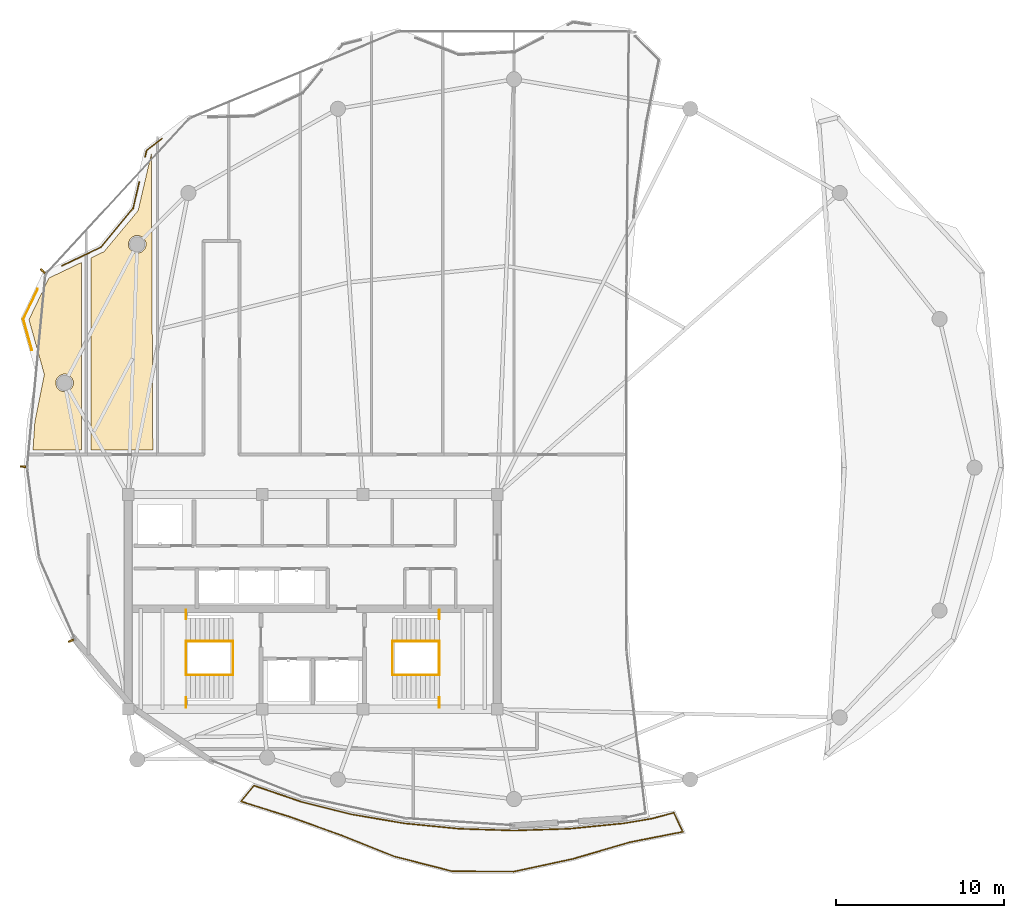
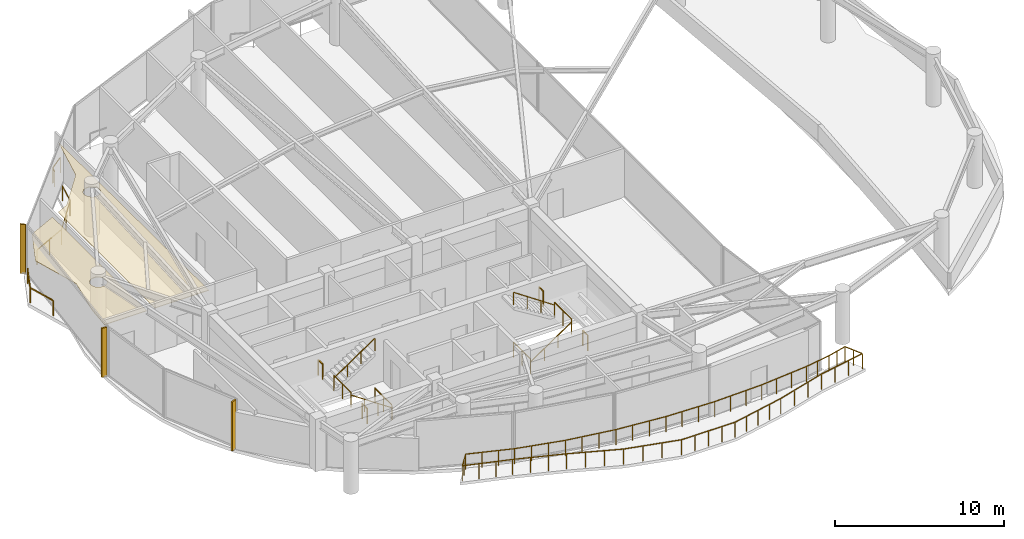
# One storey, part 21 of 22: 16 railings, 3 shading devices, 2 coverings.
"""IFC4 building model written with IfcOpenShell, lengths in metres."""

from ifc_helpers import new_model, si_unit, direction, frame, origin, origin_2d, place, context, subcontext, project, spatial, polyline, rectangle, outline, extrude, material, layer, layer_set, type_object, element, save


model = new_model("IFC4")

# Units and contexts
model_context = context("Model", 3, precision=1e-05, world=origin(), true_north=direction((0.0, 1.0)))
body_context = subcontext(model_context, "Body", "Model", "MODEL_VIEW")
ifc_project = project(units=[si_unit("LENGTHUNIT", "METRE"), si_unit("AREAUNIT", "SQUARE_METRE"), si_unit("VOLUMEUNIT", "CUBIC_METRE"), si_unit("PLANEANGLEUNIT", "RADIAN"), si_unit("MASSUNIT", "GRAM", prefix="KILO")], contexts=[model_context])

# Site, building, storey
site_placement = place(None, origin())
site = spatial("IfcSite", under=ifc_project, at=site_placement, CompositionType="ELEMENT")
building_placement = place(site_placement, origin())
building = spatial("IfcBuilding", under=site, at=building_placement, Name="Kazevale Care Tower and Concert Hall", CompositionType="ELEMENT")
storey_placement = place(building_placement, frame((0.0, 0.0, 273.800048828125)))
storey = spatial("IfcBuildingStorey", under=building, at=storey_placement, Name="L72", CompositionType="ELEMENT", Elevation=273.800048828125)

# Coverings
ifc_material_1 = material(Name="Acoustic Plaster and Hinoki Wood", Category="wood")
ifc_layer = layer(ifc_material_1, 0.0400390625)
ifc_layer_set = layer_set([ifc_layer], Name="Acoustic Plaster and Hinoki Wood")
covering_type = type_object("IfcCoveringType", Name="Acoustic Perforated Wood-Gypsum Ceiling", PredefinedType="CEILING", material=ifc_layer_set)
covering_1_placement = place(storey_placement, frame((0.0, 0.0, 2.909912109375)))
element("IfcCovering", 1, at=covering_1_placement, inside=storey, type_object=covering_type, Name="clg:L72:1", PredefinedType="CEILING", context=body_context, shape_type="SweptSolid", body=[
    extrude(outline(polyline([(17.0048828125, 43.55908203125), (16.087890625, 46.824951171875), (17.279052734375, 49.304931640625), (19.219970703125, 50.23291015625), (19.219970703125, 39.054931640625), (16.330078125, 39.054931640625), (16.44091796875, 40.72802734375), (17.0048828125, 43.55908203125)]), holes=[polyline([(18.72998046875, 43.153076171875), (18.65087890625, 43.343994140625), (18.50390625, 43.490966796875), (18.31298828125, 43.570068359375), (18.10693359375, 43.570068359375), (17.916015625, 43.490966796875), (17.76904296875, 43.343994140625), (17.68994140625, 43.153076171875), (17.68994140625, 42.947021484375), (17.76904296875, 42.756103515625), (17.916015625, 42.60888671875), (18.10693359375, 42.530029296875), (18.31298828125, 42.530029296875), (18.50390625, 42.60888671875), (18.65087890625, 42.756103515625), (18.72998046875, 42.947021484375), (18.72998046875, 43.153076171875)])]), origin(), (0.0, 0.0, 1.0), 0.0400390625),
])
covering_2_placement = place(storey_placement, frame((0.0, 0.0, 2.909912109375)))
element("IfcCovering", 2, at=covering_2_placement, inside=storey, type_object=covering_type, Name="clg:L72:2", PredefinedType="CEILING", context=body_context, shape_type="SweptSolid", body=[
    extrude(outline(polyline([(22.593994140625, 53.31494140625), (23.385009765625, 56.721923828125), (23.469970703125, 39.054931640625), (19.780029296875, 39.054931640625), (19.780029296875, 50.5009765625), (20.56494140625, 50.8759765625), (22.593994140625, 53.31494140625)]), holes=[polyline([(23.06005859375, 51.4130859375), (22.98095703125, 51.60400390625), (22.833984375, 51.7509765625), (22.64306640625, 51.830078125), (22.43701171875, 51.830078125), (22.24609375, 51.7509765625), (22.09912109375, 51.60400390625), (22.02001953125, 51.4130859375), (22.02001953125, 51.20703125), (22.09912109375, 51.01611328125), (22.24609375, 50.868896484375), (22.43701171875, 50.7900390625), (22.64306640625, 50.7900390625), (22.833984375, 50.868896484375), (22.98095703125, 51.01611328125), (23.06005859375, 51.20703125), (23.06005859375, 51.4130859375)])]), origin(), (0.0, 0.0, 1.0), 0.0400390625),
])

# Railings
ifc_material_2 = material(Name="Anodised Bronze Aluminium and Laminated Glass", Category="aluminium")
railing_type_1 = type_object("IfcRailingType", Name="Balcony and Terrace Balustrade 1120", PredefinedType="BALUSTRADE", material=ifc_material_2)
railing_1_placement = place(storey_placement, frame((16.262939453125, 45.01806640625, 0.0)))
element("IfcRailing", 3, at=railing_1_placement, inside=storey, type_object=railing_type_1, Name="rail:L72:perim:1", PredefinedType="BALUSTRADE", context=body_context, shape_type="SweptSolid", body=[
    extrude(rectangle(XDim=0.048095703125, YDim=0.048095703125, at=origin_2d()), frame((0.0, 0.0, 1.09619140625), z_axis=(-0.270375000103, 0.962755087922, 0.0), x_axis=(-0.962755087922, -0.270375000103, 0.0)), (0.0, 0.0, 1.0), 1.907958984375),
    extrude(rectangle(XDim=0.048095703125, YDim=0.048095703125, at=origin_2d()), frame((-0.515869140625, 1.8369140625, 1.09619140625), z_axis=(0.433171337814, 0.901311595452, 0.0), x_axis=(-0.901311595452, 0.433171337814, 0.0)), (0.0, 0.0, 1.0), 1.982666015625),
    extrude(rectangle(XDim=0.0419921875, YDim=0.0419921875, at=origin_2d()), origin(), (0.0, 0.0, 1.0), 1.072021484375),
    extrude(rectangle(XDim=0.0419921875, YDim=0.0419921875, at=origin_2d()), frame((-0.515869140625, 1.8369140625, 0.0)), (0.0, 0.0, 1.0), 1.072021484375),
    extrude(rectangle(XDim=0.0419921875, YDim=0.0419921875, at=origin_2d()), frame((0.343017578125, 3.6240234375, 0.0)), (0.0, 0.0, 1.0), 1.072021484375),
])
railing_2_placement = place(storey_placement, frame((18.06689453125, 50.035888671875, 0.0)))
element("IfcRailing", 4, at=railing_2_placement, inside=storey, type_object=railing_type_1, Name="rail:L72:perim:2", PredefinedType="BALUSTRADE", context=body_context, shape_type="SweptSolid", body=[
    extrude(rectangle(XDim=0.048095703125, YDim=0.048095703125, at=origin_2d()), frame((0.0, 0.0, 1.09619140625), z_axis=(0.902057952575, 0.431614932776, 0.0), x_axis=(-0.431614932776, 0.902057952575, 0.0)), (0.0, 0.0, 1.0), 2.546630859375),
    extrude(rectangle(XDim=0.048095703125, YDim=0.048095703125, at=origin_2d()), frame((2.297119140625, 1.09912109375, 1.09619140625), z_axis=(0.639557177374, 0.76874353127, 0.0), x_axis=(-0.76874353127, 0.639557177374, 0.0)), (0.0, 0.0, 1.0), 3.025634765625),
    extrude(rectangle(XDim=0.048095703125, YDim=0.048095703125, at=origin_2d()), frame((4.232177734375, 3.425048828125, 1.09619140625), z_axis=(0.226062506511, 0.97411279796, 0.0), x_axis=(-0.97411279796, 0.226062506511, 0.0)), (0.0, 0.0, 1.0), 1.6005859375),
    extrude(rectangle(XDim=0.0419921875, YDim=0.0419921875, at=origin_2d()), origin(), (0.0, 0.0, 1.0), 1.072021484375),
    extrude(rectangle(XDim=0.0419921875, YDim=0.0419921875, at=origin_2d()), frame((1.1484375, 0.549560546875, 0.0)), (0.0, 0.0, 1.0), 1.072021484375),
    extrude(rectangle(XDim=0.0419921875, YDim=0.0419921875, at=origin_2d()), frame((2.297119140625, 1.09912109375, 0.0)), (0.0, 0.0, 1.0), 1.072021484375),
    extrude(rectangle(XDim=0.0419921875, YDim=0.0419921875, at=origin_2d()), frame((3.2646484375, 2.26220703125, 0.0)), (0.0, 0.0, 1.0), 1.072021484375),
    extrude(rectangle(XDim=0.0419921875, YDim=0.0419921875, at=origin_2d()), frame((4.232177734375, 3.425048828125, 0.0)), (0.0, 0.0, 1.0), 1.072021484375),
    extrude(rectangle(XDim=0.0419921875, YDim=0.0419921875, at=origin_2d()), frame((4.593994140625, 4.984130859375, 0.0)), (0.0, 0.0, 1.0), 1.072021484375),
])
railing_3_placement = place(storey_placement, frame((23.009033203125, 56.51904296875, 0.0)))
element("IfcRailing", 5, at=railing_3_placement, inside=storey, type_object=railing_type_1, Name="rail:L72:perim:3", PredefinedType="BALUSTRADE", context=body_context, shape_type="SweptSolid", body=[
    extrude(rectangle(XDim=0.048095703125, YDim=0.048095703125, at=origin_2d()), frame((0.0, 0.0, 1.09619140625), z_axis=(0.227288030482, 0.973827577757, 0.0), x_axis=(-0.973827577757, 0.227288030482, 0.0)), (0.0, 0.0, 1.0), 0.396240234375),
    extrude(rectangle(XDim=0.048095703125, YDim=0.048095703125, at=origin_2d()), frame((0.090087890625, 0.385986328125, 1.09619140625), z_axis=(0.791840451441, 0.61072800776, 0.0), x_axis=(-0.61072800776, 0.791840451441, 0.0)), (0.0, 0.0, 1.0), 1.1591796875),
    extrude(rectangle(XDim=0.0419921875, YDim=0.0419921875, at=origin_2d()), origin(), (0.0, 0.0, 1.0), 1.072021484375),
    extrude(rectangle(XDim=0.0419921875, YDim=0.0419921875, at=origin_2d()), frame((0.090087890625, 0.385986328125, 0.0)), (0.0, 0.0, 1.0), 1.072021484375),
    extrude(rectangle(XDim=0.0419921875, YDim=0.0419921875, at=origin_2d()), frame((1.008056640625, 1.093994140625, 0.0)), (0.0, 0.0, 1.0), 1.072021484375),
])
railing_4_placement = place(storey_placement, frame((29.5009765625, 19.052978515625, 0.0)))
element("IfcRailing", 6, at=railing_4_placement, inside=storey, type_object=railing_type_1, Name="rail:L72:balcony", PredefinedType="BALUSTRADE", context=body_context, shape_type="SweptSolid", body=[
    extrude(rectangle(XDim=0.048095703125, YDim=0.048095703125, at=origin_2d()), frame((0.0, 0.0, 1.09619140625), z_axis=(0.94573422454, -0.324941189347, 0.0), x_axis=(0.324941189347, 0.94573422454, 0.0)), (0.0, 0.0, 1.0), 2.954345703125),
    extrude(rectangle(XDim=0.048095703125, YDim=0.048095703125, at=origin_2d()), frame((2.7939453125, -0.9599609375, 1.09619140625), z_axis=(0.970197562423, -0.242315269572, 0.0), x_axis=(0.242315269572, 0.970197562423, 0.0)), (0.0, 0.0, 1.0), 3.12841796875),
    extrude(rectangle(XDim=0.048095703125, YDim=0.048095703125, at=origin_2d()), frame((5.8291015625, -1.718017578125, 1.09619140625), z_axis=(0.985888464626, -0.167403510471, 0.0), x_axis=(0.167403510471, 0.985888464626, 0.0)), (0.0, 0.0, 1.0), 3.201171875),
    extrude(rectangle(XDim=0.048095703125, YDim=0.048095703125, at=origin_2d()), frame((8.985107421875, -2.25390625, 1.09619140625), z_axis=(0.995202326145, -0.097838285119, 0.0), x_axis=(0.097838285119, 0.995202326145, 0.0)), (0.0, 0.0, 1.0), 3.25146484375),
    extrude(rectangle(XDim=0.048095703125, YDim=0.048095703125, at=origin_2d()), frame((12.220947265625, -2.572021484375, 1.09619140625), z_axis=(0.999478023027, -0.032306059581, 0.0), x_axis=(0.032306059581, 0.999478023027, 0.0)), (0.0, 0.0, 1.0), 3.27978515625),
    extrude(rectangle(XDim=0.048095703125, YDim=0.048095703125, at=origin_2d()), frame((15.4990234375, -2.677978515625, 1.09619140625), z_axis=(0.999478023027, 0.032306059581, 0.0), x_axis=(-0.032306059581, 0.999478023027, 0.0)), (0.0, 0.0, 1.0), 3.27978515625),
    extrude(rectangle(XDim=0.048095703125, YDim=0.048095703125, at=origin_2d()), frame((18.777099609375, -2.572021484375, 1.09619140625), z_axis=(0.995202326145, 0.097838285119, 0.0), x_axis=(-0.097838285119, 0.995202326145, 0.0)), (0.0, 0.0, 1.0), 3.25146484375),
    extrude(rectangle(XDim=0.048095703125, YDim=0.048095703125, at=origin_2d()), frame((22.012939453125, -2.25390625, 1.09619140625), z_axis=(0.985939740956, 0.16710124836, 0.0), x_axis=(-0.16710124836, 0.985939740956, 0.0)), (0.0, 0.0, 1.0), 1.728515625),
    extrude(rectangle(XDim=0.048095703125, YDim=0.048095703125, at=origin_2d()), frame((23.717041015625, -1.965087890625, 1.09619140625), z_axis=(0.966966654094, 0.254902902829, 0.0), x_axis=(-0.254902902829, 0.966966654094, 0.0)), (0.0, 0.0, 1.0), 1.349609375),
    extrude(rectangle(XDim=0.048095703125, YDim=0.048095703125, at=origin_2d()), frame((25.02197265625, -1.62109375, 1.09619140625), z_axis=(0.425112298502, -0.905140615409, 0.0), x_axis=(0.905140615409, 0.425112298502, 0.0)), (0.0, 0.0, 1.0), 1.253662109375),
    extrude(rectangle(XDim=0.048095703125, YDim=0.048095703125, at=origin_2d()), frame((25.554931640625, -2.755859375, 1.09619140625), z_axis=(-0.981421157423, -0.191865869197, 0.0), x_axis=(0.191865869197, -0.981421157423, 0.0)), (0.0, 0.0, 1.0), 3.22705078125),
    extrude(rectangle(XDim=0.048095703125, YDim=0.048095703125, at=origin_2d()), frame((22.387939453125, -3.375, 1.09619140625), z_axis=(-0.959394531694, -0.282067602812, 0.0), x_axis=(0.282067602812, -0.959394531694, 0.0)), (0.0, 0.0, 1.0), 3.481201171875),
    extrude(rectangle(XDim=0.048095703125, YDim=0.048095703125, at=origin_2d()), frame((19.048095703125, -4.35693359375, 1.09619140625), z_axis=(-0.97747770468, -0.211038709372, 0.0), x_axis=(0.211038709372, -0.97747770468, 0.0)), (0.0, 0.0, 1.0), 3.64404296875),
    extrude(rectangle(XDim=0.048095703125, YDim=0.048095703125, at=origin_2d()), frame((15.486083984375, -5.1259765625, 1.09619140625), z_axis=(-0.99998650907, 0.005194389165, 0.0), x_axis=(-0.005194389165, -0.99998650907, 0.0)), (0.0, 0.0, 1.0), 3.666015625),
    extrude(rectangle(XDim=0.048095703125, YDim=0.048095703125, at=origin_2d()), frame((11.820068359375, -5.10693359375, 1.09619140625), z_axis=(-0.968760334608, 0.247998818728, 0.0), x_axis=(-0.247998818728, -0.968760334608, 0.0)), (0.0, 0.0, 1.0), 3.572509765625),
    extrude(rectangle(XDim=0.048095703125, YDim=0.048095703125, at=origin_2d()), frame((8.359130859375, -4.220947265625, 1.09619140625), z_axis=(-0.928679749476, 0.37088262687, 0.0), x_axis=(-0.37088262687, -0.928679749476, 0.0)), (0.0, 0.0, 1.0), 3.397216796875),
    extrude(rectangle(XDim=0.048095703125, YDim=0.048095703125, at=origin_2d()), frame((5.2041015625, -2.9609375, 1.09619140625), z_axis=(-0.941388399858, 0.337324592363, 0.0), x_axis=(-0.337324592363, -0.941388399858, 0.0)), (0.0, 0.0, 1.0), 3.254638671875),
    extrude(rectangle(XDim=0.048095703125, YDim=0.048095703125, at=origin_2d()), frame((2.14013671875, -1.863037109375, 1.09619140625), z_axis=(-0.953740455053, 0.300631243213, 0.0), x_axis=(-0.300631243213, -0.953740455053, 0.0)), (0.0, 0.0, 1.0), 3.060791015625),
    extrude(rectangle(XDim=0.048095703125, YDim=0.048095703125, at=origin_2d()), frame((-0.779052734375, -0.94287109375, 1.09619140625), z_axis=(0.636958821101, 0.770897827356, 0.0), x_axis=(-0.770897827356, 0.636958821101, 0.0)), (0.0, 0.0, 1.0), 1.22314453125),
    extrude(rectangle(XDim=0.0419921875, YDim=0.0419921875, at=origin_2d()), origin(), (0.0, 0.0, 1.0), 1.072021484375),
    extrude(rectangle(XDim=0.0419921875, YDim=0.0419921875, at=origin_2d()), frame((0.931396484375, -0.320068359375, 0.0)), (0.0, 0.0, 1.0), 1.072021484375),
    extrude(rectangle(XDim=0.0419921875, YDim=0.0419921875, at=origin_2d()), frame((1.862548828125, -0.639892578125, 0.0)), (0.0, 0.0, 1.0), 1.072021484375),
    extrude(rectangle(XDim=0.0419921875, YDim=0.0419921875, at=origin_2d()), frame((2.7939453125, -0.9599609375, 0.0)), (0.0, 0.0, 1.0), 1.072021484375),
    extrude(rectangle(XDim=0.0419921875, YDim=0.0419921875, at=origin_2d()), frame((3.8056640625, -1.212646484375, 0.0)), (0.0, 0.0, 1.0), 1.072021484375),
    extrude(rectangle(XDim=0.0419921875, YDim=0.0419921875, at=origin_2d()), frame((4.8173828125, -1.46533203125, 0.0)), (0.0, 0.0, 1.0), 1.072021484375),
    extrude(rectangle(XDim=0.0419921875, YDim=0.0419921875, at=origin_2d()), frame((5.8291015625, -1.718017578125, 0.0)), (0.0, 0.0, 1.0), 1.072021484375),
    extrude(rectangle(XDim=0.0419921875, YDim=0.0419921875, at=origin_2d()), frame((6.881103515625, -1.896728515625, 0.0)), (0.0, 0.0, 1.0), 1.072021484375),
    extrude(rectangle(XDim=0.0419921875, YDim=0.0419921875, at=origin_2d()), frame((7.93310546875, -2.0751953125, 0.0)), (0.0, 0.0, 1.0), 1.072021484375),
    extrude(rectangle(XDim=0.0419921875, YDim=0.0419921875, at=origin_2d()), frame((8.985107421875, -2.25390625, 0.0)), (0.0, 0.0, 1.0), 1.072021484375),
    extrude(rectangle(XDim=0.0419921875, YDim=0.0419921875, at=origin_2d()), frame((10.063720703125, -2.35986328125, 0.0)), (0.0, 0.0, 1.0), 1.072021484375),
    extrude(rectangle(XDim=0.0419921875, YDim=0.0419921875, at=origin_2d()), frame((11.142333984375, -2.466064453125, 0.0)), (0.0, 0.0, 1.0), 1.072021484375),
    extrude(rectangle(XDim=0.0419921875, YDim=0.0419921875, at=origin_2d()), frame((12.220947265625, -2.572021484375, 0.0)), (0.0, 0.0, 1.0), 1.072021484375),
    extrude(rectangle(XDim=0.0419921875, YDim=0.0419921875, at=origin_2d()), frame((13.313720703125, -2.607421875, 0.0)), (0.0, 0.0, 1.0), 1.072021484375),
    extrude(rectangle(XDim=0.0419921875, YDim=0.0419921875, at=origin_2d()), frame((14.40625, -2.642578125, 0.0)), (0.0, 0.0, 1.0), 1.072021484375),
    extrude(rectangle(XDim=0.0419921875, YDim=0.0419921875, at=origin_2d()), frame((15.4990234375, -2.677978515625, 0.0)), (0.0, 0.0, 1.0), 1.072021484375),
    extrude(rectangle(XDim=0.0419921875, YDim=0.0419921875, at=origin_2d()), frame((16.591796875, -2.642578125, 0.0)), (0.0, 0.0, 1.0), 1.072021484375),
    extrude(rectangle(XDim=0.0419921875, YDim=0.0419921875, at=origin_2d()), frame((17.684326171875, -2.607421875, 0.0)), (0.0, 0.0, 1.0), 1.072021484375),
    extrude(rectangle(XDim=0.0419921875, YDim=0.0419921875, at=origin_2d()), frame((18.777099609375, -2.572021484375, 0.0)), (0.0, 0.0, 1.0), 1.072021484375),
    extrude(rectangle(XDim=0.0419921875, YDim=0.0419921875, at=origin_2d()), frame((19.855712890625, -2.466064453125, 0.0)), (0.0, 0.0, 1.0), 1.072021484375),
    extrude(rectangle(XDim=0.0419921875, YDim=0.0419921875, at=origin_2d()), frame((20.934326171875, -2.35986328125, 0.0)), (0.0, 0.0, 1.0), 1.072021484375),
    extrude(rectangle(XDim=0.0419921875, YDim=0.0419921875, at=origin_2d()), frame((22.012939453125, -2.25390625, 0.0)), (0.0, 0.0, 1.0), 1.072021484375),
    extrude(rectangle(XDim=0.0419921875, YDim=0.0419921875, at=origin_2d()), frame((22.864990234375, -2.109375, 0.0)), (0.0, 0.0, 1.0), 1.072021484375),
    extrude(rectangle(XDim=0.0419921875, YDim=0.0419921875, at=origin_2d()), frame((23.717041015625, -1.965087890625, 0.0)), (0.0, 0.0, 1.0), 1.072021484375),
    extrude(rectangle(XDim=0.0419921875, YDim=0.0419921875, at=origin_2d()), frame((24.36962890625, -1.79296875, 0.0)), (0.0, 0.0, 1.0), 1.072021484375),
    extrude(rectangle(XDim=0.0419921875, YDim=0.0419921875, at=origin_2d()), frame((25.02197265625, -1.62109375, 0.0)), (0.0, 0.0, 1.0), 1.072021484375),
    extrude(rectangle(XDim=0.0419921875, YDim=0.0419921875, at=origin_2d()), frame((25.28857421875, -2.1884765625, 0.0)), (0.0, 0.0, 1.0), 1.072021484375),
    extrude(rectangle(XDim=0.0419921875, YDim=0.0419921875, at=origin_2d()), frame((25.554931640625, -2.755859375, 0.0)), (0.0, 0.0, 1.0), 1.072021484375),
    extrude(rectangle(XDim=0.0419921875, YDim=0.0419921875, at=origin_2d()), frame((24.499267578125, -2.962158203125, 0.0)), (0.0, 0.0, 1.0), 1.072021484375),
    extrude(rectangle(XDim=0.0419921875, YDim=0.0419921875, at=origin_2d()), frame((23.443603515625, -3.168701171875, 0.0)), (0.0, 0.0, 1.0), 1.072021484375),
    extrude(rectangle(XDim=0.0419921875, YDim=0.0419921875, at=origin_2d()), frame((22.387939453125, -3.375, 0.0)), (0.0, 0.0, 1.0), 1.072021484375),
    extrude(rectangle(XDim=0.0419921875, YDim=0.0419921875, at=origin_2d()), frame((21.274658203125, -3.702392578125, 0.0)), (0.0, 0.0, 1.0), 1.072021484375),
    extrude(rectangle(XDim=0.0419921875, YDim=0.0419921875, at=origin_2d()), frame((20.161376953125, -4.029541015625, 0.0)), (0.0, 0.0, 1.0), 1.072021484375),
    extrude(rectangle(XDim=0.0419921875, YDim=0.0419921875, at=origin_2d()), frame((19.048095703125, -4.35693359375, 0.0)), (0.0, 0.0, 1.0), 1.072021484375),
    extrude(rectangle(XDim=0.0419921875, YDim=0.0419921875, at=origin_2d()), frame((18.15771484375, -4.54931640625, 0.0)), (0.0, 0.0, 1.0), 1.072021484375),
    extrude(rectangle(XDim=0.0419921875, YDim=0.0419921875, at=origin_2d()), frame((17.26708984375, -4.741455078125, 0.0)), (0.0, 0.0, 1.0), 1.072021484375),
    extrude(rectangle(XDim=0.0419921875, YDim=0.0419921875, at=origin_2d()), frame((16.37646484375, -4.93359375, 0.0)), (0.0, 0.0, 1.0), 1.072021484375),
    extrude(rectangle(XDim=0.0419921875, YDim=0.0419921875, at=origin_2d()), frame((15.486083984375, -5.1259765625, 0.0)), (0.0, 0.0, 1.0), 1.072021484375),
    extrude(rectangle(XDim=0.0419921875, YDim=0.0419921875, at=origin_2d()), frame((14.569580078125, -5.12109375, 0.0)), (0.0, 0.0, 1.0), 1.072021484375),
    extrude(rectangle(XDim=0.0419921875, YDim=0.0419921875, at=origin_2d()), frame((13.653076171875, -5.116455078125, 0.0)), (0.0, 0.0, 1.0), 1.072021484375),
    extrude(rectangle(XDim=0.0419921875, YDim=0.0419921875, at=origin_2d()), frame((12.736572265625, -5.11181640625, 0.0)), (0.0, 0.0, 1.0), 1.072021484375),
    extrude(rectangle(XDim=0.0419921875, YDim=0.0419921875, at=origin_2d()), frame((11.820068359375, -5.10693359375, 0.0)), (0.0, 0.0, 1.0), 1.072021484375),
    extrude(rectangle(XDim=0.0419921875, YDim=0.0419921875, at=origin_2d()), frame((10.66650390625, -4.8115234375, 0.0)), (0.0, 0.0, 1.0), 1.072021484375),
    extrude(rectangle(XDim=0.0419921875, YDim=0.0419921875, at=origin_2d()), frame((9.5126953125, -4.516357421875, 0.0)), (0.0, 0.0, 1.0), 1.072021484375),
    extrude(rectangle(XDim=0.0419921875, YDim=0.0419921875, at=origin_2d()), frame((8.359130859375, -4.220947265625, 0.0)), (0.0, 0.0, 1.0), 1.072021484375),
    extrude(rectangle(XDim=0.0419921875, YDim=0.0419921875, at=origin_2d()), frame((7.307373046875, -3.801025390625, 0.0)), (0.0, 0.0, 1.0), 1.072021484375),
    extrude(rectangle(XDim=0.0419921875, YDim=0.0419921875, at=origin_2d()), frame((6.255859375, -3.380859375, 0.0)), (0.0, 0.0, 1.0), 1.072021484375),
    extrude(rectangle(XDim=0.0419921875, YDim=0.0419921875, at=origin_2d()), frame((5.2041015625, -2.9609375, 0.0)), (0.0, 0.0, 1.0), 1.072021484375),
    extrude(rectangle(XDim=0.0419921875, YDim=0.0419921875, at=origin_2d()), frame((4.182861328125, -2.594970703125, 0.0)), (0.0, 0.0, 1.0), 1.072021484375),
    extrude(rectangle(XDim=0.0419921875, YDim=0.0419921875, at=origin_2d()), frame((3.161376953125, -2.22900390625, 0.0)), (0.0, 0.0, 1.0), 1.072021484375),
    extrude(rectangle(XDim=0.0419921875, YDim=0.0419921875, at=origin_2d()), frame((2.14013671875, -1.863037109375, 0.0)), (0.0, 0.0, 1.0), 1.072021484375),
    extrude(rectangle(XDim=0.0419921875, YDim=0.0419921875, at=origin_2d()), frame((1.1669921875, -1.556396484375, 0.0)), (0.0, 0.0, 1.0), 1.072021484375),
    extrude(rectangle(XDim=0.0419921875, YDim=0.0419921875, at=origin_2d()), frame((0.194091796875, -1.24951171875, 0.0)), (0.0, 0.0, 1.0), 1.072021484375),
    extrude(rectangle(XDim=0.0419921875, YDim=0.0419921875, at=origin_2d()), frame((-0.779052734375, -0.94287109375, 0.0)), (0.0, 0.0, 1.0), 1.072021484375),
    extrude(rectangle(XDim=0.0419921875, YDim=0.0419921875, at=origin_2d()), frame((-0.3896484375, -0.471435546875, 0.0)), (0.0, 0.0, 1.0), 1.072021484375),
])
ifc_material_3 = material(Name="Stainless Steel 316", Category="steel")
railing_type_2 = type_object("IfcRailingType", Name="Stair Pitch Handrail 920", PredefinedType="HANDRAIL", material=ifc_material_3)
railing_5_placement = place(storey_placement, frame((28.25, 25.639892578125, 0.0)))
element("IfcRailing", 7, at=railing_5_placement, inside=storey, type_object=railing_type_2, Name="stair:L72:ST1:hr1", PredefinedType="HANDRAIL", context=body_context, shape_type="SweptSolid", body=[
    extrude(rectangle(XDim=0.048095703125, YDim=0.048095703125, at=origin_2d()), frame((0.0, 0.0, 0.89599609375), z_axis=(-0.827493732819, 0.0, 0.561474952376), x_axis=(0.0, -1.0, 0.0)), (0.0, 0.0, 1.0), 3.3837890625),
    extrude(rectangle(XDim=0.0419921875, YDim=0.0419921875, at=origin_2d()), origin(), (0.0, 0.0, 1.0), 0.871826171875),
    extrude(rectangle(XDim=0.0419921875, YDim=0.0419921875, at=origin_2d()), frame((-0.933349609375, 0.0, 0.63330078125)), (0.0, 0.0, 1.0), 0.871826171875),
    extrude(rectangle(XDim=0.0419921875, YDim=0.0419921875, at=origin_2d()), frame((-1.86669921875, 0.0, 1.2666015625)), (0.0, 0.0, 1.0), 0.871826171875),
    extrude(rectangle(XDim=0.0419921875, YDim=0.0419921875, at=origin_2d()), frame((-2.800048828125, 0.0, 1.89990234375)), (0.0, 0.0, 1.0), 0.871826171875),
])
railing_6_placement = place(storey_placement, frame((25.449951171875, 27.659912109375, 1.89990234375)))
element("IfcRailing", 8, at=railing_6_placement, inside=storey, type_object=railing_type_2, Name="stair:L72:ST1:hr2", PredefinedType="HANDRAIL", context=body_context, shape_type="SweptSolid", body=[
    extrude(rectangle(XDim=0.048095703125, YDim=0.048095703125, at=origin_2d()), frame((0.0, 0.0, 0.89599609375), z_axis=(0.827460210367, 0.0, 0.56152435411), x_axis=(0.0, 1.0, 0.0)), (0.0, 0.0, 1.0), 3.3837890625),
    extrude(rectangle(XDim=0.0419921875, YDim=0.0419921875, at=origin_2d()), origin(), (0.0, 0.0, 1.0), 0.871826171875),
    extrude(rectangle(XDim=0.0419921875, YDim=0.0419921875, at=origin_2d()), frame((0.933349609375, 0.0, 0.63330078125)), (0.0, 0.0, 1.0), 0.871826171875),
    extrude(rectangle(XDim=0.0419921875, YDim=0.0419921875, at=origin_2d()), frame((1.86669921875, 0.0, 1.266845703125)), (0.0, 0.0, 1.0), 0.871826171875),
    extrude(rectangle(XDim=0.0419921875, YDim=0.0419921875, at=origin_2d()), frame((2.800048828125, 0.0, 1.900146484375)), (0.0, 0.0, 1.0), 0.871826171875),
])
railing_7_placement = place(storey_placement, frame((37.75, 25.639892578125, 0.0)))
element("IfcRailing", 9, at=railing_7_placement, inside=storey, type_object=railing_type_2, Name="stair:L72:ST2:hr1", PredefinedType="HANDRAIL", context=body_context, shape_type="SweptSolid", body=[
    extrude(rectangle(XDim=0.048095703125, YDim=0.048095703125, at=origin_2d()), frame((0.0, 0.0, 0.89599609375), z_axis=(0.827493732819, 0.0, 0.561474952376), x_axis=(0.0, 1.0, 0.0)), (0.0, 0.0, 1.0), 3.3837890625),
    extrude(rectangle(XDim=0.0419921875, YDim=0.0419921875, at=origin_2d()), origin(), (0.0, 0.0, 1.0), 0.871826171875),
    extrude(rectangle(XDim=0.0419921875, YDim=0.0419921875, at=origin_2d()), frame((0.933349609375, 0.0, 0.63330078125)), (0.0, 0.0, 1.0), 0.871826171875),
    extrude(rectangle(XDim=0.0419921875, YDim=0.0419921875, at=origin_2d()), frame((1.86669921875, 0.0, 1.2666015625)), (0.0, 0.0, 1.0), 0.871826171875),
    extrude(rectangle(XDim=0.0419921875, YDim=0.0419921875, at=origin_2d()), frame((2.800048828125, 0.0, 1.89990234375)), (0.0, 0.0, 1.0), 0.871826171875),
])
railing_8_placement = place(storey_placement, frame((40.550048828125, 27.659912109375, 1.89990234375)))
element("IfcRailing", 10, at=railing_8_placement, inside=storey, type_object=railing_type_2, Name="stair:L72:ST2:hr2", PredefinedType="HANDRAIL", context=body_context, shape_type="SweptSolid", body=[
    extrude(rectangle(XDim=0.048095703125, YDim=0.048095703125, at=origin_2d()), frame((0.0, 0.0, 0.89599609375), z_axis=(-0.827460210367, 0.0, 0.56152435411), x_axis=(0.0, -1.0, 0.0)), (0.0, 0.0, 1.0), 3.3837890625),
    extrude(rectangle(XDim=0.0419921875, YDim=0.0419921875, at=origin_2d()), origin(), (0.0, 0.0, 1.0), 0.871826171875),
    extrude(rectangle(XDim=0.0419921875, YDim=0.0419921875, at=origin_2d()), frame((-0.933349609375, 0.0, 0.63330078125)), (0.0, 0.0, 1.0), 0.871826171875),
    extrude(rectangle(XDim=0.0419921875, YDim=0.0419921875, at=origin_2d()), frame((-1.86669921875, 0.0, 1.266845703125)), (0.0, 0.0, 1.0), 0.871826171875),
    extrude(rectangle(XDim=0.0419921875, YDim=0.0419921875, at=origin_2d()), frame((-2.800048828125, 0.0, 1.900146484375)), (0.0, 0.0, 1.0), 0.871826171875),
])
railing_type_3 = type_object("IfcRailingType", Name="Stair Well Guard Balustrade 1120", PredefinedType="BALUSTRADE", material=ifc_material_3)
railing_9_placement = place(storey_placement, frame((25.449951171875, 23.699951171875, 1.89990234375)))
element("IfcRailing", 11, at=railing_9_placement, inside=storey, type_object=railing_type_3, Name="stair:L72:ST1:grd_side1", PredefinedType="BALUSTRADE", context=body_context, shape_type="SweptSolid", body=[
    extrude(rectangle(XDim=0.048095703125, YDim=0.048095703125, at=origin_2d()), frame((0.0, 0.0, 1.09619140625), z_axis=(0.0, 1.0, 0.0), x_axis=(-1.0, 0.0, 0.0)), (0.0, 0.0, 1.0), 0.610107421875),
    extrude(rectangle(XDim=0.0419921875, YDim=0.0419921875, at=origin_2d()), origin(), (0.0, 0.0, 1.0), 1.072021484375),
    extrude(rectangle(XDim=0.0419921875, YDim=0.0419921875, at=origin_2d()), frame((0.0, 0.610107421875, 0.0)), (0.0, 0.0, 1.0), 1.072021484375),
])
railing_10_placement = place(storey_placement, frame((25.449951171875, 28.989990234375, 1.89990234375)))
element("IfcRailing", 12, at=railing_10_placement, inside=storey, type_object=railing_type_3, Name="stair:L72:ST1:grd_side2", PredefinedType="BALUSTRADE", context=body_context, shape_type="SweptSolid", body=[
    extrude(rectangle(XDim=0.048095703125, YDim=0.048095703125, at=origin_2d()), frame((0.0, 0.0, 1.09619140625), z_axis=(0.0, 1.0, 0.0), x_axis=(-1.0, 0.0, 0.0)), (0.0, 0.0, 1.0), 0.510009765625),
    extrude(rectangle(XDim=0.0419921875, YDim=0.0419921875, at=origin_2d()), origin(), (0.0, 0.0, 1.0), 1.072021484375),
    extrude(rectangle(XDim=0.0419921875, YDim=0.0419921875, at=origin_2d()), frame((0.0, 0.510009765625, 0.0)), (0.0, 0.0, 1.0), 1.072021484375),
])
for number, where, name in (
    (13, (25.449951171875, 25.639892578125, 1.89990234375), "stair:L72:ST1:grd_mid"),
    (14, (28.25, 25.639892578125, 0.0), "stair:L72:ST1:grd_flr"),
):
    element("IfcRailing", number, at=place(storey_placement, frame(where)), inside=storey, type_object=railing_type_3, Name=name, PredefinedType="BALUSTRADE", context=body_context, shape_type="SweptSolid", body=[
        extrude(rectangle(XDim=0.048095703125, YDim=0.048095703125, at=origin_2d()), frame((0.0, 0.0, 1.09619140625), z_axis=(0.0, 1.0, 0.0), x_axis=(-1.0, 0.0, 0.0)), (0.0, 0.0, 1.0), 2.02001953125),
        extrude(rectangle(XDim=0.0419921875, YDim=0.0419921875, at=origin_2d()), origin(), (0.0, 0.0, 1.0), 1.072021484375),
        extrude(rectangle(XDim=0.0419921875, YDim=0.0419921875, at=origin_2d()), frame((0.0, 1.010009765625, 0.0)), (0.0, 0.0, 1.0), 1.072021484375),
        extrude(rectangle(XDim=0.0419921875, YDim=0.0419921875, at=origin_2d()), frame((0.0, 2.02001953125, 0.0)), (0.0, 0.0, 1.0), 1.072021484375),
    ])
railing_11_placement = place(storey_placement, frame((40.550048828125, 23.699951171875, 1.89990234375)))
element("IfcRailing", 15, at=railing_11_placement, inside=storey, type_object=railing_type_3, Name="stair:L72:ST2:grd_side1", PredefinedType="BALUSTRADE", context=body_context, shape_type="SweptSolid", body=[
    extrude(rectangle(XDim=0.048095703125, YDim=0.048095703125, at=origin_2d()), frame((0.0, 0.0, 1.09619140625), z_axis=(0.0, 1.0, 0.0), x_axis=(-1.0, 0.0, 0.0)), (0.0, 0.0, 1.0), 0.610107421875),
    extrude(rectangle(XDim=0.0419921875, YDim=0.0419921875, at=origin_2d()), origin(), (0.0, 0.0, 1.0), 1.072021484375),
    extrude(rectangle(XDim=0.0419921875, YDim=0.0419921875, at=origin_2d()), frame((0.0, 0.610107421875, 0.0)), (0.0, 0.0, 1.0), 1.072021484375),
])
railing_12_placement = place(storey_placement, frame((40.550048828125, 28.989990234375, 1.89990234375)))
element("IfcRailing", 16, at=railing_12_placement, inside=storey, type_object=railing_type_3, Name="stair:L72:ST2:grd_side2", PredefinedType="BALUSTRADE", context=body_context, shape_type="SweptSolid", body=[
    extrude(rectangle(XDim=0.048095703125, YDim=0.048095703125, at=origin_2d()), frame((0.0, 0.0, 1.09619140625), z_axis=(0.0, 1.0, 0.0), x_axis=(-1.0, 0.0, 0.0)), (0.0, 0.0, 1.0), 0.510009765625),
    extrude(rectangle(XDim=0.0419921875, YDim=0.0419921875, at=origin_2d()), origin(), (0.0, 0.0, 1.0), 1.072021484375),
    extrude(rectangle(XDim=0.0419921875, YDim=0.0419921875, at=origin_2d()), frame((0.0, 0.510009765625, 0.0)), (0.0, 0.0, 1.0), 1.072021484375),
])
for number, where, name in (
    (17, (40.550048828125, 25.639892578125, 1.89990234375), "stair:L72:ST2:grd_mid"),
    (18, (37.75, 25.639892578125, 0.0), "stair:L72:ST2:grd_flr"),
):
    element("IfcRailing", number, at=place(storey_placement, frame(where)), inside=storey, type_object=railing_type_3, Name=name, PredefinedType="BALUSTRADE", context=body_context, shape_type="SweptSolid", body=[
        extrude(rectangle(XDim=0.048095703125, YDim=0.048095703125, at=origin_2d()), frame((0.0, 0.0, 1.09619140625), z_axis=(0.0, 1.0, 0.0), x_axis=(-1.0, 0.0, 0.0)), (0.0, 0.0, 1.0), 2.02001953125),
        extrude(rectangle(XDim=0.0419921875, YDim=0.0419921875, at=origin_2d()), origin(), (0.0, 0.0, 1.0), 1.072021484375),
        extrude(rectangle(XDim=0.0419921875, YDim=0.0419921875, at=origin_2d()), frame((0.0, 1.010009765625, 0.0)), (0.0, 0.0, 1.0), 1.072021484375),
        extrude(rectangle(XDim=0.0419921875, YDim=0.0419921875, at=origin_2d()), frame((0.0, 2.02001953125, 0.0)), (0.0, 0.0, 1.0), 1.072021484375),
    ])

# Shading devices
ifc_material_4 = material(Name="Anodised Bronze Aluminium", Category="aluminium")
shading_device_type = type_object("IfcShadingDeviceType", Name="Waist Anodised Bronze-Stone Fin FIN-02", PredefinedType="USERDEFINED", material=ifc_material_4)
for number, where, z_axis, x_axis, name in (
    (19, (18.594482421875, 27.684326171875, 0.0), (0.0, 0.0, 1.0), (-0.91495966785, -0.403545296352, 0.0), "cw:L72:f07:fin"),
    (20, (15.72900390625, 38.06396484375, 0.0), (0.0, 0.0, 1.0), (-0.995545524441, 0.094282070226, 0.0), "cw:L72:f09:fin"),
    (21, (16.908935546875, 49.718017578125, 0.0), (0.0, 0.0, 1.0), (-0.735269577966, 0.677774776543, 0.0), "cw:L72:f10:fin"),
):
    element("IfcShadingDevice", number, at=place(storey_placement, frame(where, z_axis=z_axis, x_axis=x_axis)), inside=storey, type_object=shading_device_type, Name=name, ObjectType="FIN", PredefinedType="USERDEFINED", context=body_context, shape_type="SweptSolid", body=[
        extrude(rectangle(XDim=0.340087890625, YDim=0.10009765625, at=origin_2d()), origin(), (0.0, 0.0, 1.0), 3.56005859375),
    ])

save(model, "model.ifc")
